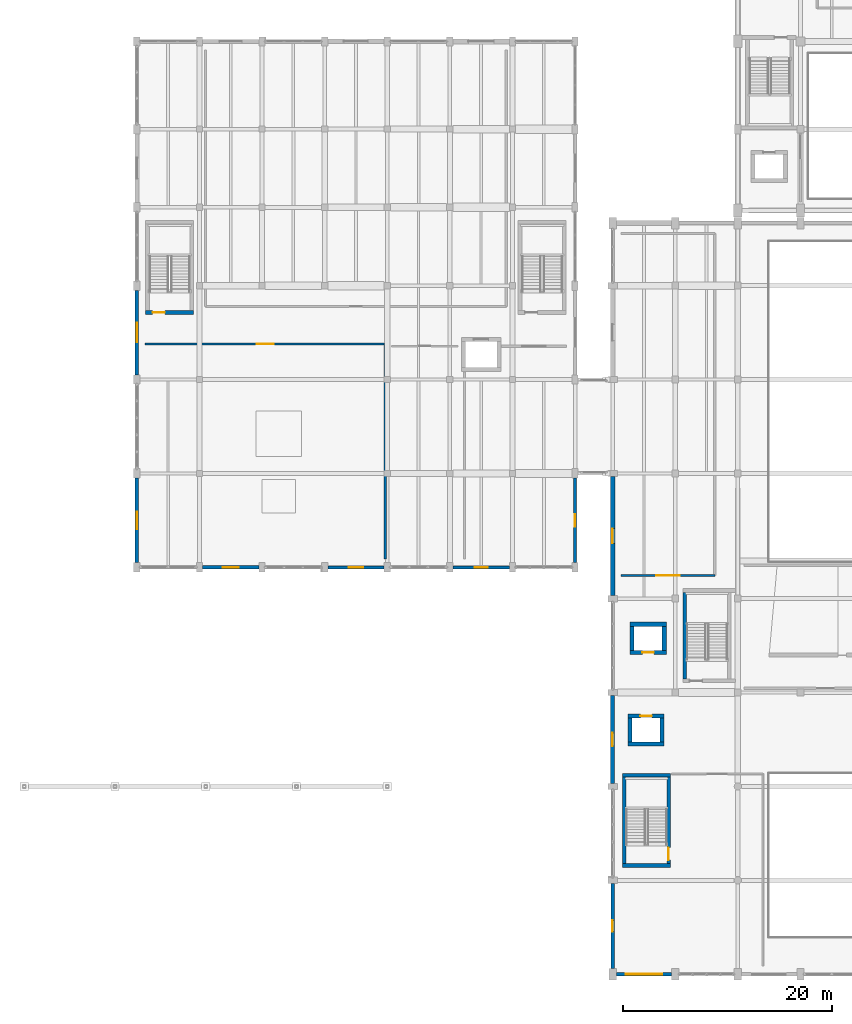
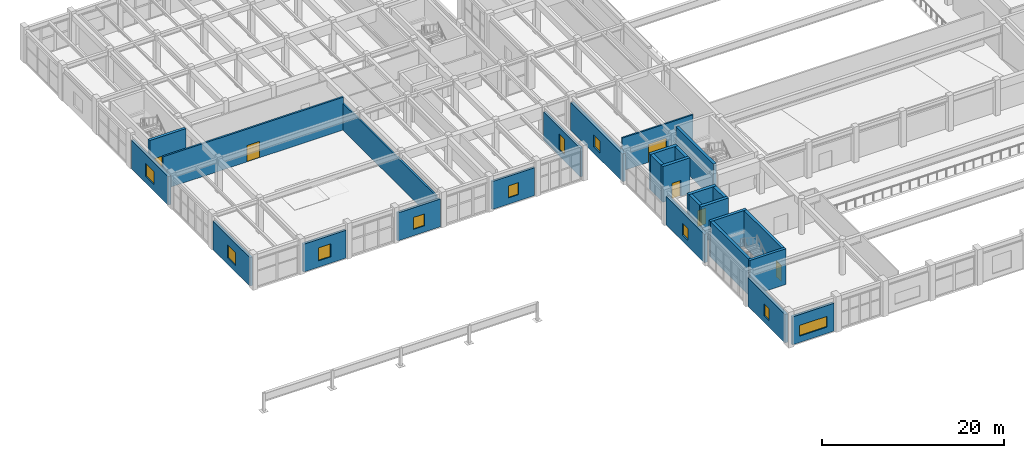
# One storey, part 60 of 85: 27 walls, 10 windows, 6 doors, 16 openings.
"""IFC4 building model written with IfcOpenShell, lengths in metres."""

from ifc_helpers import new_model, si_unit, direction, frame, frame_2d, origin, place, context, subcontext, project, spatial, rectangle, extrude, material, layer, layer_set, type_object, element, fill, save


model = new_model("IFC4")

# Units and contexts
model_context = context("Model", 3, precision=1e-05, world=origin(), true_north=direction((0.0, 1.0)))
body_context = subcontext(model_context, "Body", "Model", "MODEL_VIEW")
ifc_project = project(units=[si_unit("LENGTHUNIT", "METRE"), si_unit("AREAUNIT", "SQUARE_METRE"), si_unit("VOLUMEUNIT", "CUBIC_METRE"), si_unit("PLANEANGLEUNIT", "RADIAN"), si_unit("MASSUNIT", "GRAM", prefix="KILO")], contexts=[model_context])

# Site, building, storey
site_placement = place(None, origin())
site = spatial("IfcSite", under=ifc_project, at=site_placement, CompositionType="ELEMENT")
building_placement = place(site_placement, origin())
building = spatial("IfcBuilding", under=site, at=building_placement, Name="Vaelkrest Opera House", CompositionType="ELEMENT")
storey_placement = place(building_placement, frame((0.0, 0.0, 10.199951171875)))
storey = spatial("IfcBuildingStorey", under=building, at=storey_placement, Name="L02", CompositionType="ELEMENT", Elevation=10.199951171875)

# Wall, opening, window
ifc_material_1 = material(Name="Douglas fir glulam GL28h", Category="wood")
ifc_layer_1 = layer(ifc_material_1, 0.27490234375)
ifc_layer_set_1 = layer_set([ifc_layer_1], Name="Douglas fir glulam GL28h")
wall_type_1 = type_object("IfcWallType", Name="EW02", PredefinedType="STANDARD", material=ifc_layer_set_1)
wall_1_placement = place(storey_placement, frame((-39.89794921875, -16.800048828125, 0.0), z_axis=(0.0, 0.0, 1.0), x_axis=(-1.0, 0.0, 0.0)))
wall_1 = element("IfcWall", 1, at=wall_1_placement, inside=storey, type_object=wall_type_1, Name="Exterior facade wall EW-V3-L02-0172", PredefinedType="STANDARD", context=body_context, shape_type="SweptSolid", body=[
    extrude(rectangle(XDim=5.404052734375, YDim=0.27490234375, at=frame_2d((2.7021484375, 0.0))), origin(), (0.0, 0.0, 1.0), 3.7451171875),
])
opening_1_placement = place(wall_1_placement, frame((2.076904296875, 0.0, 0.85009765625)))
opening_1 = element("IfcOpeningElement", 2, at=opening_1_placement, cuts=wall_1, Name="Opening WN080", PredefinedType="OPENING", context=body_context, shape_type="SweptSolid", body=[
    extrude(rectangle(XDim=1.25, YDim=1.60009765625, at=frame_2d((0.625, 0.800048828125))), frame((0.0, 0.1474609375, 0.0), z_axis=(0.0, -1.0, 0.0), x_axis=(1.0, 0.0, 0.0)), (0.0, 0.0, 1.0), 0.294921875),
])
ifc_material_2 = material(Name="Double low-E insulated glazing", Category="glass")
window_type_1 = type_object("IfcWindowType", Name="WT02", PartitioningType="SINGLE_PANEL", PredefinedType="WINDOW", material=ifc_material_2)
window_1_placement = place(opening_1_placement, origin())
window_1 = element("IfcWindow", 3, at=window_1_placement, inside=storey, type_object=window_type_1, Name="Facade window WN080", OverallHeight=1.60009765625, OverallWidth=1.25, PartitioningType="SINGLE_PANEL", PredefinedType="WINDOW", context=body_context, shape_type="SweptSolid", body=[
    extrude(rectangle(XDim=1.25, YDim=1.60009765625, at=frame_2d((0.625, 0.800048828125))), frame((0.0, 0.030029296875, 0.0), z_axis=(0.0, -1.0, 0.0), x_axis=(1.0, 0.0, 0.0)), (0.0, 0.0, 1.0), 0.06005859375),
])
fill(opening_1, window_1)

ifc_layer_2 = layer(ifc_material_1, 0.294921875)
ifc_layer_set_2 = layer_set([ifc_layer_2], Name="Douglas fir glulam GL28h")
wall_type_2 = type_object("IfcWallType", Name="EW03", PredefinedType="STANDARD", material=ifc_layer_set_2)
wall_2_placement = place(storey_placement, frame((-51.89794921875, -16.800048828125, 0.0), z_axis=(0.0, 0.0, 1.0), x_axis=(-1.0, 0.0, 0.0)))
wall_2 = element("IfcWall", 4, at=wall_2_placement, inside=storey, type_object=wall_type_2, Name="Exterior facade wall EW-V3-L02-0173", PredefinedType="STANDARD", context=body_context, shape_type="SweptSolid", body=[
    extrude(rectangle(XDim=5.404052734375, YDim=0.294921875, at=frame_2d((2.7021484375, 0.0))), origin(), (0.0, 0.0, 1.0), 3.7451171875),
])
opening_2_placement = place(wall_2_placement, frame((2.001953125, 0.0, 0.85009765625)))
opening_2 = element("IfcOpeningElement", 5, at=opening_2_placement, cuts=wall_2, Name="Opening WN081", PredefinedType="OPENING", context=body_context, shape_type="SweptSolid", body=[
    extrude(rectangle(XDim=1.39990234375, YDim=1.60009765625, at=frame_2d((0.699951171875, 0.800048828125))), frame((0.0, 0.157470703125, 0.0), z_axis=(0.0, -1.0, 0.0), x_axis=(1.0, 0.0, 0.0)), (0.0, 0.0, 1.0), 0.31494140625),
])
window_type_2 = type_object("IfcWindowType", Name="WT03", PartitioningType="SINGLE_PANEL", PredefinedType="WINDOW", material=ifc_material_2)
window_2_placement = place(opening_2_placement, origin())
window_2 = element("IfcWindow", 6, at=window_2_placement, inside=storey, type_object=window_type_2, Name="Facade window WN081", OverallHeight=1.60009765625, OverallWidth=1.39990234375, PartitioningType="SINGLE_PANEL", PredefinedType="WINDOW", context=body_context, shape_type="SweptSolid", body=[
    extrude(rectangle(XDim=1.39990234375, YDim=1.60009765625, at=frame_2d((0.699951171875, 0.800048828125))), frame((0.0, 0.030029296875, 0.0), z_axis=(0.0, -1.0, 0.0), x_axis=(1.0, 0.0, 0.0)), (0.0, 0.0, 1.0), 0.06005859375),
])
fill(opening_2, window_2)

wall_3_placement = place(storey_placement, frame((-33.60009765625, -8.248046875, 0.0), z_axis=(0.0, 0.0, 1.0), x_axis=(0.0, -1.0, 0.0)))
wall_3 = element("IfcWall", 7, at=wall_3_placement, inside=storey, type_object=wall_type_2, Name="Exterior facade wall EW-V3-L02-0183", PredefinedType="STANDARD", context=body_context, shape_type="SweptSolid", body=[
    extrude(rectangle(XDim=8.10400390625, YDim=0.294921875, at=frame_2d((4.052001953125, 0.0))), origin(), (0.0, 0.0, 1.0), 3.8291015625),
])
opening_3_placement = place(wall_3_placement, frame((3.451904296875, 0.0, 0.85009765625)))
opening_3 = element("IfcOpeningElement", 8, at=opening_3_placement, cuts=wall_3, Name="Opening WN091", PredefinedType="OPENING", context=body_context, shape_type="SweptSolid", body=[
    extrude(rectangle(XDim=1.199951171875, YDim=2.10009765625, at=frame_2d((0.60009765625, 1.050048828125))), frame((0.0, 0.157470703125, 0.0), z_axis=(0.0, -1.0, 0.0), x_axis=(1.0, 0.0, 0.0)), (0.0, 0.0, 1.0), 0.31494140625),
])
window_type_3 = type_object("IfcWindowType", Name="WT13", PartitioningType="SINGLE_PANEL", PredefinedType="WINDOW", material=ifc_material_2)
window_3_placement = place(opening_3_placement, origin())
window_3 = element("IfcWindow", 9, at=window_3_placement, inside=storey, type_object=window_type_3, Name="Facade window WN091", OverallHeight=2.10009765625, OverallWidth=1.199951171875, PartitioningType="SINGLE_PANEL", PredefinedType="WINDOW", context=body_context, shape_type="SweptSolid", body=[
    extrude(rectangle(XDim=1.199951171875, YDim=2.10009765625, at=frame_2d((0.60009765625, 1.050048828125))), frame((0.0, 0.030029296875, 0.0), z_axis=(0.0, -1.0, 0.0), x_axis=(1.0, 0.0, 0.0)), (0.0, 0.0, 1.0), 0.06005859375),
])
fill(opening_3, window_3)

ifc_material_3 = material(Name="American black walnut acoustic timber", Category="wood")
ifc_layer_3 = layer(ifc_material_3, 0.31494140625)
ifc_layer_set_3 = layer_set([ifc_layer_3], Name="American black walnut acoustic timber")
wall_type_3 = type_object("IfcWallType", Name="EW04", PredefinedType="STANDARD", material=ifc_layer_set_3)
wall_4_placement = place(storey_placement, frame((-63.89794921875, -16.800048828125, 0.0), z_axis=(0.0, 0.0, 1.0), x_axis=(-1.0, 0.0, 0.0)))
wall_4 = element("IfcWall", 10, at=wall_4_placement, inside=storey, type_object=wall_type_3, Name="Exterior facade wall EW-V3-L02-0174", PredefinedType="STANDARD", context=body_context, shape_type="SweptSolid", body=[
    extrude(rectangle(XDim=5.404052734375, YDim=0.31494140625, at=frame_2d((2.7021484375, 0.0))), origin(), (0.0, 0.0, 1.0), 3.7451171875),
])
opening_4_placement = place(wall_4_placement, frame((1.927001953125, 0.0, 0.85009765625)))
opening_4 = element("IfcOpeningElement", 11, at=opening_4_placement, cuts=wall_4, Name="Opening WN082", PredefinedType="OPENING", context=body_context, shape_type="SweptSolid", body=[
    extrude(rectangle(XDim=1.550048828125, YDim=1.75, at=frame_2d((0.77490234375, 0.875))), frame((0.0, 0.16748046875, 0.0), z_axis=(0.0, -1.0, 0.0), x_axis=(1.0, 0.0, 0.0)), (0.0, 0.0, 1.0), 0.3349609375),
])
window_type_4 = type_object("IfcWindowType", Name="WT04", PartitioningType="SINGLE_PANEL", PredefinedType="WINDOW", material=ifc_material_2)
window_4_placement = place(opening_4_placement, origin())
window_4 = element("IfcWindow", 12, at=window_4_placement, inside=storey, type_object=window_type_4, Name="Facade window WN082", OverallHeight=1.75, OverallWidth=1.550048828125, PartitioningType="SINGLE_PANEL", PredefinedType="WINDOW", context=body_context, shape_type="SweptSolid", body=[
    extrude(rectangle(XDim=1.550048828125, YDim=1.75, at=frame_2d((0.77490234375, 0.875))), frame((0.0, 0.030029296875, 0.0), z_axis=(0.0, -1.0, 0.0), x_axis=(1.0, 0.0, 0.0)), (0.0, 0.0, 1.0), 0.06005859375),
])
fill(opening_4, window_4)

ifc_layer_4 = layer(ifc_material_3, 0.3349609375)
ifc_layer_set_4 = layer_set([ifc_layer_4], Name="American black walnut acoustic timber")
wall_type_4 = type_object("IfcWallType", Name="EW05", PredefinedType="STANDARD", material=ifc_layer_set_4)
wall_5_placement = place(storey_placement, frame((-24.347900390625, -55.800048828125, 0.0), z_axis=(0.0, 0.0, 1.0), x_axis=(-1.0, 0.0, 0.0)))
wall_5 = element("IfcWall", 13, at=wall_5_placement, inside=storey, type_object=wall_type_4, Name="Exterior facade wall EW-V1-L02-0055", PredefinedType="STANDARD", context=body_context, shape_type="SweptSolid", body=[
    extrude(rectangle(XDim=5.30419921875, YDim=0.3349609375, at=frame_2d((2.652099609375, 0.0))), origin(), (0.0, 0.0, 1.0), 3.7451171875),
])
opening_5_placement = place(wall_5_placement, frame((0.902099609375, 0.0, 0.85009765625)))
opening_5 = element("IfcOpeningElement", 14, at=opening_5_placement, cuts=wall_5, Name="Opening WN026", PredefinedType="OPENING", context=body_context, shape_type="SweptSolid", body=[
    extrude(rectangle(XDim=3.5, YDim=1.449951171875, at=frame_2d((1.75, 0.72509765625))), frame((0.0, 0.177490234375, 0.0), z_axis=(0.0, -1.0, 0.0), x_axis=(1.0, 0.0, 0.0)), (0.0, 0.0, 1.0), 0.35498046875),
])
window_type_5 = type_object("IfcWindowType", Name="WT26", PartitioningType="SINGLE_PANEL", PredefinedType="WINDOW", material=ifc_material_2)
window_5_placement = place(opening_5_placement, origin())
window_5 = element("IfcWindow", 15, at=window_5_placement, inside=storey, type_object=window_type_5, Name="Facade window WN026", OverallHeight=1.449951171875, OverallWidth=3.5, PartitioningType="SINGLE_PANEL", PredefinedType="WINDOW", context=body_context, shape_type="SweptSolid", body=[
    extrude(rectangle(XDim=3.5, YDim=1.449951171875, at=frame_2d((1.75, 0.72509765625))), frame((0.0, 0.030029296875, 0.0), z_axis=(0.0, -1.0, 0.0), x_axis=(1.0, 0.0, 0.0)), (0.0, 0.0, 1.0), 0.06005859375),
])
fill(opening_5, window_5)

wall_6_placement = place(storey_placement, frame((-75.60009765625, -16.35205078125, 0.0), z_axis=(0.0, 0.0, 1.0), x_axis=(0.0, 1.0, 0.0)))
wall_6 = element("IfcWall", 16, at=wall_6_placement, inside=storey, type_object=wall_type_4, Name="Exterior facade wall EW-V3-L02-0175", PredefinedType="STANDARD", context=body_context, shape_type="SweptSolid", body=[
    extrude(rectangle(XDim=8.10400390625, YDim=0.3349609375, at=frame_2d((4.052001953125, 0.0))), origin(), (0.0, 0.0, 1.0), 3.8291015625),
])
opening_6_placement = place(wall_6_placement, frame((3.201904296875, 0.0, 0.85009765625)))
opening_6 = element("IfcOpeningElement", 17, at=opening_6_placement, cuts=wall_6, Name="Opening WN083", PredefinedType="OPENING", context=body_context, shape_type="SweptSolid", body=[
    extrude(rectangle(XDim=1.699951171875, YDim=1.75, at=frame_2d((0.85009765625, 0.875))), frame((0.0, 0.177490234375, 0.0), z_axis=(0.0, -1.0, 0.0), x_axis=(1.0, 0.0, 0.0)), (0.0, 0.0, 1.0), 0.35498046875),
])
window_type_6 = type_object("IfcWindowType", Name="WT05", PartitioningType="SINGLE_PANEL", PredefinedType="WINDOW", material=ifc_material_2)
window_6_placement = place(opening_6_placement, origin())
window_6 = element("IfcWindow", 18, at=window_6_placement, inside=storey, type_object=window_type_6, Name="Facade window WN083", OverallHeight=1.75, OverallWidth=1.699951171875, PartitioningType="SINGLE_PANEL", PredefinedType="WINDOW", context=body_context, shape_type="SweptSolid", body=[
    extrude(rectangle(XDim=1.699951171875, YDim=1.75, at=frame_2d((0.85009765625, 0.875))), frame((0.0, 0.030029296875, 0.0), z_axis=(0.0, -1.0, 0.0), x_axis=(1.0, 0.0, 0.0)), (0.0, 0.0, 1.0), 0.06005859375),
])
fill(opening_6, window_6)

ifc_layer_5 = layer(ifc_material_3, 0.360107421875)
ifc_layer_set_5 = layer_set([ifc_layer_5], Name="American black walnut acoustic timber")
wall_type_5 = type_object("IfcWallType", Name="EW06", PredefinedType="STANDARD", material=ifc_layer_set_5)
wall_7_placement = place(storey_placement, frame((-30.0, -55.251953125, 0.0), z_axis=(0.0, 0.0, 1.0), x_axis=(0.0, 1.0, 0.0)))
wall_7 = element("IfcWall", 19, at=wall_7_placement, inside=storey, type_object=wall_type_5, Name="Exterior facade wall EW-V1-L02-0056", PredefinedType="STANDARD", context=body_context, shape_type="SweptSolid", body=[
    extrude(rectangle(XDim=8.154052734375, YDim=0.360107421875, at=frame_2d((4.0771484375, 0.0))), origin(), (0.0, 0.0, 1.0), 3.8291015625),
])
opening_7_placement = place(wall_7_placement, frame((3.527099609375, 0.0, 0.85009765625)))
opening_7 = element("IfcOpeningElement", 20, at=opening_7_placement, cuts=wall_7, Name="Opening WN027", PredefinedType="OPENING", context=body_context, shape_type="SweptSolid", body=[
    extrude(rectangle(XDim=1.10009765625, YDim=1.60009765625, at=frame_2d((0.550048828125, 0.800048828125))), frame((0.0, 0.18994140625, 0.0), z_axis=(0.0, -1.0, 0.0), x_axis=(1.0, 0.0, 0.0)), (0.0, 0.0, 1.0), 0.380126953125),
])
window_type_7 = type_object("IfcWindowType", Name="WT01", PartitioningType="SINGLE_PANEL", PredefinedType="WINDOW", material=ifc_material_2)
window_7_placement = place(opening_7_placement, origin())
window_7 = element("IfcWindow", 21, at=window_7_placement, inside=storey, type_object=window_type_7, Name="Facade window WN027", OverallHeight=1.60009765625, OverallWidth=1.10009765625, PartitioningType="SINGLE_PANEL", PredefinedType="WINDOW", context=body_context, shape_type="SweptSolid", body=[
    extrude(rectangle(XDim=1.10009765625, YDim=1.60009765625, at=frame_2d((0.550048828125, 0.800048828125))), frame((0.0, 0.030029296875, 0.0), z_axis=(0.0, -1.0, 0.0), x_axis=(1.0, 0.0, 0.0)), (0.0, 0.0, 1.0), 0.06005859375),
])
fill(opening_7, window_7)

wall_8_placement = place(storey_placement, frame((-75.60009765625, 1.64794921875, 0.0), z_axis=(0.0, 0.0, 1.0), x_axis=(0.0, 1.0, 0.0)))
wall_8 = element("IfcWall", 22, at=wall_8_placement, inside=storey, type_object=wall_type_5, Name="Exterior facade wall EW-V3-L02-0176", PredefinedType="STANDARD", context=body_context, shape_type="SweptSolid", body=[
    extrude(rectangle(XDim=8.10400390625, YDim=0.360107421875, at=frame_2d((4.052001953125, 0.0))), origin(), (0.0, 0.0, 1.0), 3.8291015625),
])
opening_8_placement = place(wall_8_placement, frame((3.126953125, 0.0, 0.85009765625)))
opening_8 = element("IfcOpeningElement", 23, at=opening_8_placement, cuts=wall_8, Name="Opening WN084", PredefinedType="OPENING", context=body_context, shape_type="SweptSolid", body=[
    extrude(rectangle(XDim=1.85009765625, YDim=1.75, at=frame_2d((0.925048828125, 0.875))), frame((0.0, 0.18994140625, 0.0), z_axis=(0.0, -1.0, 0.0), x_axis=(1.0, 0.0, 0.0)), (0.0, 0.0, 1.0), 0.380126953125),
])
window_type_8 = type_object("IfcWindowType", Name="WT06", PartitioningType="SINGLE_PANEL", PredefinedType="WINDOW", material=ifc_material_2)
window_8_placement = place(opening_8_placement, origin())
window_8 = element("IfcWindow", 24, at=window_8_placement, inside=storey, type_object=window_type_8, Name="Facade window WN084", OverallHeight=1.75, OverallWidth=1.85009765625, PartitioningType="SINGLE_PANEL", PredefinedType="WINDOW", context=body_context, shape_type="SweptSolid", body=[
    extrude(rectangle(XDim=1.85009765625, YDim=1.75, at=frame_2d((0.925048828125, 0.875))), frame((0.0, 0.030029296875, 0.0), z_axis=(0.0, -1.0, 0.0), x_axis=(1.0, 0.0, 0.0)), (0.0, 0.0, 1.0), 0.06005859375),
])
fill(opening_8, window_8)

ifc_material_4 = material(Name="Concrete C40/50", Category="concrete")
ifc_layer_6 = layer(ifc_material_4, 0.385009765625)
ifc_layer_set_6 = layer_set([ifc_layer_6], Name="Concrete C40/50")
wall_type_6 = type_object("IfcWallType", Name="EW07", PredefinedType="STANDARD", material=ifc_layer_set_6)
wall_9_placement = place(storey_placement, frame((-30.0, -37.501953125, 0.0), z_axis=(0.0, 0.0, 1.0), x_axis=(0.0, 1.0, 0.0)))
wall_9 = element("IfcWall", 25, at=wall_9_placement, inside=storey, type_object=wall_type_6, Name="Exterior facade wall EW-V1-L02-0057", PredefinedType="STANDARD", context=body_context, shape_type="SweptSolid", body=[
    extrude(rectangle(XDim=8.404052734375, YDim=0.385009765625, at=frame_2d((4.2021484375, 0.0))), origin(), (0.0, 0.0, 1.0), 3.8291015625),
])
opening_9_placement = place(wall_9_placement, frame((3.576904296875, 0.0, 0.85009765625)))
opening_9 = element("IfcOpeningElement", 26, at=opening_9_placement, cuts=wall_9, Name="Opening WN028", PredefinedType="OPENING", context=body_context, shape_type="SweptSolid", body=[
    extrude(rectangle(XDim=1.25, YDim=1.60009765625, at=frame_2d((0.625, 0.800048828125))), frame((0.0, 0.202392578125, 0.0), z_axis=(0.0, -1.0, 0.0), x_axis=(1.0, 0.0, 0.0)), (0.0, 0.0, 1.0), 0.405029296875),
])
window_9_placement = place(opening_9_placement, origin())
window_9 = element("IfcWindow", 27, at=window_9_placement, inside=storey, type_object=window_type_1, Name="Facade window WN028", OverallHeight=1.60009765625, OverallWidth=1.25, PartitioningType="SINGLE_PANEL", PredefinedType="WINDOW", context=body_context, shape_type="SweptSolid", body=[
    extrude(rectangle(XDim=1.25, YDim=1.60009765625, at=frame_2d((0.625, 0.800048828125))), frame((0.0, 0.030029296875, 0.0), z_axis=(0.0, -1.0, 0.0), x_axis=(1.0, 0.0, 0.0)), (0.0, 0.0, 1.0), 0.06005859375),
])
fill(opening_9, window_9)

ifc_layer_7 = layer(ifc_material_4, 0.409912109375)
ifc_layer_set_7 = layer_set([ifc_layer_7], Name="Concrete C40/50")
wall_type_7 = type_object("IfcWallType", Name="EW08", PredefinedType="STANDARD", material=ifc_layer_set_7)
wall_10_placement = place(storey_placement, frame((-30.0, -19.501953125, 0.0), z_axis=(0.0, 0.0, 1.0), x_axis=(0.0, 1.0, 0.0)))
wall_10 = element("IfcWall", 28, at=wall_10_placement, inside=storey, type_object=wall_type_7, Name="Exterior facade wall EW-V1-L02-0058", PredefinedType="STANDARD", context=body_context, shape_type="SweptSolid", body=[
    extrude(rectangle(XDim=11.404052734375, YDim=0.409912109375, at=frame_2d((5.7021484375, 0.0))), origin(), (0.0, 0.0, 1.0), 3.7451171875),
])
opening_10_placement = place(wall_10_placement, frame((5.001953125, 0.0, 0.85009765625)))
opening_10 = element("IfcOpeningElement", 29, at=opening_10_placement, cuts=wall_10, Name="Opening WN029", PredefinedType="OPENING", context=body_context, shape_type="SweptSolid", body=[
    extrude(rectangle(XDim=1.39990234375, YDim=1.60009765625, at=frame_2d((0.699951171875, 0.800048828125))), frame((0.0, 0.21484375, 0.0), z_axis=(0.0, -1.0, 0.0), x_axis=(1.0, 0.0, 0.0)), (0.0, 0.0, 1.0), 0.429931640625),
])
window_10_placement = place(opening_10_placement, origin())
window_10 = element("IfcWindow", 30, at=window_10_placement, inside=storey, type_object=window_type_2, Name="Facade window WN029", OverallHeight=1.60009765625, OverallWidth=1.39990234375, PartitioningType="SINGLE_PANEL", PredefinedType="WINDOW", context=body_context, shape_type="SweptSolid", body=[
    extrude(rectangle(XDim=1.39990234375, YDim=1.60009765625, at=frame_2d((0.699951171875, 0.800048828125))), frame((0.0, 0.030029296875, 0.0), z_axis=(0.0, -1.0, 0.0), x_axis=(1.0, 0.0, 0.0)), (0.0, 0.0, 1.0), 0.06005859375),
])
fill(opening_10, window_10)

# Wall, opening, door
ifc_material_5 = material(Name="Gypsum acoustic board", Category="gypsum")
ifc_layer_8 = layer(ifc_material_5, 0.195068359375)
ifc_layer_set_8 = layer_set([ifc_layer_8], Name="Gypsum acoustic board")
wall_type_8 = type_object("IfcWallType", Name="PT06", PredefinedType="PARTITIONING", material=ifc_layer_set_8)
wall_11_placement = place(storey_placement, frame((-29.199951171875, -17.60009765625, 0.0), z_axis=(0.0, 0.0, 1.0), x_axis=(1.0, 0.0, 0.0)))
wall_11 = element("IfcWall", 31, at=wall_11_placement, inside=storey, type_object=wall_type_8, Name="Interior partition PT-V1-L02-0076", PredefinedType="PARTITIONING", context=body_context, shape_type="SweptSolid", body=[
    extrude(rectangle(XDim=9.0, YDim=0.195068359375, at=frame_2d((4.5, 0.0))), origin(), (0.0, 0.0, 1.0), 4.420166015625),
])
opening_11_placement = place(wall_11_placement, frame((3.375, 0.0, 0.0)))
opening_11 = element("IfcOpeningElement", 32, at=opening_11_placement, cuts=wall_11, Name="Opening D030", PredefinedType="OPENING", context=body_context, shape_type="SweptSolid", body=[
    extrude(rectangle(XDim=2.25, YDim=2.449951171875, at=frame_2d((1.125, 1.22509765625))), frame((0.0, 0.107421875, 0.0), z_axis=(0.0, -1.0, 0.0), x_axis=(1.0, 0.0, 0.0)), (0.0, 0.0, 1.0), 0.215087890625),
])
door_type_1 = type_object("IfcDoorType", Name="DT26", OperationType="DOUBLE_DOOR_SINGLE_SWING", PredefinedType="DOOR", material=ifc_material_3)
door_1_placement = place(opening_11_placement, origin())
door_1 = element("IfcDoor", 33, at=door_1_placement, inside=storey, type_object=door_type_1, Name="Interior door D030 (West Acoustic Gallery)", OperationType="DOUBLE_DOOR_SINGLE_SWING", OverallHeight=2.449951171875, OverallWidth=2.25, PredefinedType="DOOR", context=body_context, shape_type="SweptSolid", body=[
    extrude(rectangle(XDim=2.25, YDim=2.449951171875, at=frame_2d((1.125, 1.22509765625))), frame((0.0, 0.02490234375, 0.0), z_axis=(0.0, -1.0, 0.0), x_axis=(1.0, 0.0, 0.0)), (0.0, 0.0, 1.0), 0.050048828125),
])
fill(opening_11, door_1)

# Wall
ifc_layer_9 = layer(ifc_material_3, 0.2099609375)
ifc_layer_set_9 = layer_set([ifc_layer_9], Name="American black walnut acoustic timber")
wall_type_9 = type_object("IfcWallType", Name="PT07", PredefinedType="PARTITIONING", material=ifc_layer_set_9)
wall_12_placement = place(storey_placement, frame((-51.800048828125, -16.0, 0.0), z_axis=(0.0, 0.0, 1.0), x_axis=(0.0, 1.0, 0.0)))
element("IfcWall", 34, at=wall_12_placement, inside=storey, type_object=wall_type_9, Name="Interior partition PT-V3-L02-0297", PredefinedType="PARTITIONING", context=body_context, shape_type="SweptSolid", body=[
    extrude(rectangle(XDim=20.60009765625, YDim=0.2099609375, at=frame_2d((10.300048828125, 0.0))), origin(), (0.0, 0.0, 1.0), 3.590087890625),
])

# Wall, opening, door
ifc_layer_10 = layer(ifc_material_3, 0.22509765625)
ifc_layer_set_10 = layer_set([ifc_layer_10], Name="American black walnut acoustic timber")
wall_type_10 = type_object("IfcWallType", Name="PT08", PredefinedType="PARTITIONING", material=ifc_layer_set_10)
wall_13_placement = place(storey_placement, frame((-74.800048828125, 4.60009765625, 0.0), z_axis=(0.0, 0.0, 1.0), x_axis=(1.0, 0.0, 0.0)))
wall_13 = element("IfcWall", 35, at=wall_13_placement, inside=storey, type_object=wall_type_10, Name="Interior partition PT-V3-L02-0296", PredefinedType="PARTITIONING", context=body_context, shape_type="SweptSolid", body=[
    extrude(rectangle(XDim=23.0, YDim=0.22509765625, at=frame_2d((11.5, 0.0))), origin(), (0.0, 0.0, 1.0), 4.420166015625),
])
opening_12_placement = place(wall_13_placement, frame((10.68994140625, 0.0, 0.0)))
opening_12 = element("IfcOpeningElement", 36, at=opening_12_placement, cuts=wall_13, Name="Opening D117", PredefinedType="OPENING", context=body_context, shape_type="SweptSolid", body=[
    extrude(rectangle(XDim=1.6201171875, YDim=2.199951171875, at=frame_2d((0.81005859375, 1.10009765625))), frame((0.0, 0.12255859375, 0.0), z_axis=(0.0, -1.0, 0.0), x_axis=(1.0, 0.0, 0.0)), (0.0, 0.0, 1.0), 0.2451171875),
])
door_type_2 = type_object("IfcDoorType", Name="DT19", OperationType="DOUBLE_DOOR_SINGLE_SWING", PredefinedType="DOOR", material=ifc_material_3)
door_2_placement = place(opening_12_placement, origin())
door_2 = element("IfcDoor", 37, at=door_2_placement, inside=storey, type_object=door_type_2, Name="Interior door D117 (Chorus Rehearsal Stage)", OperationType="DOUBLE_DOOR_SINGLE_SWING", OverallHeight=2.199951171875, OverallWidth=1.6201171875, PredefinedType="DOOR", context=body_context, shape_type="SweptSolid", body=[
    extrude(rectangle(XDim=1.6201171875, YDim=2.199951171875, at=frame_2d((0.81005859375, 1.10009765625))), frame((0.0, 0.02490234375, 0.0), z_axis=(0.0, -1.0, 0.0), x_axis=(1.0, 0.0, 0.0)), (0.0, 0.0, 1.0), 0.050048828125),
])
fill(opening_12, door_2)

# Walls
ifc_material_6 = material(Name="Concrete C50/60", Category="concrete")
ifc_layer_11 = layer(ifc_material_6, 0.35009765625)
ifc_layer_set_11 = layer_set([ifc_layer_11], Name="Concrete C50/60")
wall_type_11 = type_object("IfcWallType", Name="SW01", PredefinedType="SHEAR", material=ifc_layer_set_11)
wall_14_placement = place(storey_placement, frame((-23.074951171875, -27.5, 0.0), z_axis=(0.0, 0.0, 1.0), x_axis=(0.0, 1.0, 0.0)))
element("IfcWall", 38, at=wall_14_placement, inside=storey, type_object=wall_type_11, Name="Stair core ST01 wall L02 W", PredefinedType="SHEAR", context=body_context, shape_type="SweptSolid", body=[
    extrude(rectangle(XDim=8.300048828125, YDim=0.35009765625, at=frame_2d((4.14990234375, 0.0))), origin(), (0.0, 0.0, 1.0), 4.800048828125),
])
wall_15_placement = place(storey_placement, frame((-24.449951171875, -45.375, 0.0), z_axis=(0.0, 0.0, 1.0), x_axis=(-1.0, 0.0, 0.0)))
element("IfcWall", 39, at=wall_15_placement, inside=storey, type_object=wall_type_11, Name="Stair core ST03 wall L02 S", PredefinedType="SHEAR", context=body_context, shape_type="SweptSolid", body=[
    extrude(rectangle(XDim=4.60009765625, YDim=0.35009765625, at=frame_2d((2.300048828125, 0.0))), origin(), (0.0, 0.0, 1.0), 4.800048828125),
])
wall_16_placement = place(storey_placement, frame((-28.875, -45.199951171875, 0.0), z_axis=(0.0, 0.0, 1.0), x_axis=(0.0, 1.0, 0.0)))
element("IfcWall", 40, at=wall_16_placement, inside=storey, type_object=wall_type_11, Name="Stair core ST03 wall L02 W", PredefinedType="SHEAR", context=body_context, shape_type="SweptSolid", body=[
    extrude(rectangle(XDim=8.300048828125, YDim=0.35009765625, at=frame_2d((4.14990234375, 0.0))), origin(), (0.0, 0.0, 1.0), 4.800048828125),
])
wall_17_placement = place(storey_placement, frame((-29.050048828125, -36.72509765625, 0.0), z_axis=(0.0, 0.0, 1.0), x_axis=(1.0, 0.0, 0.0)))
element("IfcWall", 41, at=wall_17_placement, inside=storey, type_object=wall_type_11, Name="Stair core ST03 wall L02 N", PredefinedType="SHEAR", context=body_context, shape_type="SweptSolid", body=[
    extrude(rectangle(XDim=4.60009765625, YDim=0.35009765625, at=frame_2d((2.300048828125, 0.0))), origin(), (0.0, 0.0, 1.0), 4.800048828125),
])

# Wall, opening, door
wall_18_placement = place(storey_placement, frame((-24.625, -36.89990234375, 0.0), z_axis=(0.0, 0.0, 1.0), x_axis=(0.0, -1.0, 0.0)))
wall_18 = element("IfcWall", 42, at=wall_18_placement, inside=storey, type_object=wall_type_11, Name="Stair core ST03 wall L02 E", PredefinedType="SHEAR", context=body_context, shape_type="SweptSolid", body=[
    extrude(rectangle(XDim=8.300048828125, YDim=0.35009765625, at=frame_2d((4.14990234375, 0.0))), origin(), (0.0, 0.0, 1.0), 4.800048828125),
])
opening_13_placement = place(wall_18_placement, frame((6.77001953125, 0.0, 0.0)))
opening_13 = element("IfcOpeningElement", 43, at=opening_13_placement, cuts=wall_18, Name="Opening SD-ST03-L02", PredefinedType="OPENING", context=body_context, shape_type="SweptSolid", body=[
    extrude(rectangle(XDim=1.179931640625, YDim=2.14990234375, at=frame_2d((0.58984375, 1.074951171875))), frame((0.0, 0.18505859375, 0.0), z_axis=(0.0, -1.0, 0.0), x_axis=(1.0, 0.0, 0.0)), (0.0, 0.0, 1.0), 0.3701171875),
])
door_type_3 = type_object("IfcDoorType", Name="DT07", OperationType="NOTDEFINED", PredefinedType="DOOR", material=ifc_material_3)
door_3_placement = place(opening_13_placement, origin())
door_3 = element("IfcDoor", 44, at=door_3_placement, inside=storey, type_object=door_type_3, Name="Protected stair door SD-ST03-L02", OperationType="SINGLE_SWING_LEFT", OverallHeight=2.14990234375, OverallWidth=1.179931640625, PredefinedType="DOOR", context=body_context, shape_type="SweptSolid", body=[
    extrude(rectangle(XDim=1.179931640625, YDim=2.14990234375, at=frame_2d((0.58984375, 1.074951171875))), frame((0.0, 0.02490234375, 0.0), z_axis=(0.0, -1.0, 0.0), x_axis=(1.0, 0.0, 0.0)), (0.0, 0.0, 1.0), 0.050048828125),
])
fill(opening_13, door_3)

wall_19_placement = place(storey_placement, frame((-70.14990234375, 7.625, 0.0), z_axis=(0.0, 0.0, 1.0), x_axis=(-1.0, 0.0, 0.0)))
wall_19 = element("IfcWall", 45, at=wall_19_placement, inside=storey, type_object=wall_type_11, Name="Stair core ST07 wall L02 S", PredefinedType="SHEAR", context=body_context, shape_type="SweptSolid", body=[
    extrude(rectangle(XDim=4.60009765625, YDim=0.35009765625, at=frame_2d((2.300048828125, 0.0))), origin(), (0.0, 0.0, 1.0), 4.800048828125),
])
opening_14_placement = place(wall_19_placement, frame((2.77001953125, 0.0, 0.0)))
opening_14 = element("IfcOpeningElement", 46, at=opening_14_placement, cuts=wall_19, Name="Opening SD-ST07-L02", PredefinedType="OPENING", context=body_context, shape_type="SweptSolid", body=[
    extrude(rectangle(XDim=1.179931640625, YDim=2.14990234375, at=frame_2d((0.58984375, 1.074951171875))), frame((0.0, 0.18505859375, 0.0), z_axis=(0.0, -1.0, 0.0), x_axis=(1.0, 0.0, 0.0)), (0.0, 0.0, 1.0), 0.3701171875),
])
door_4_placement = place(opening_14_placement, origin())
door_4 = element("IfcDoor", 47, at=door_4_placement, inside=storey, type_object=door_type_3, Name="Protected stair door SD-ST07-L02", OperationType="SINGLE_SWING_LEFT", OverallHeight=2.14990234375, OverallWidth=1.179931640625, PredefinedType="DOOR", context=body_context, shape_type="SweptSolid", body=[
    extrude(rectangle(XDim=1.179931640625, YDim=2.14990234375, at=frame_2d((0.58984375, 1.074951171875))), frame((0.0, 0.02490234375, 0.0), z_axis=(0.0, -1.0, 0.0), x_axis=(1.0, 0.0, 0.0)), (0.0, 0.0, 1.0), 0.050048828125),
])
fill(opening_14, door_4)

ifc_layer_12 = layer(ifc_material_6, 0.389892578125)
ifc_layer_set_12 = layer_set([ifc_layer_12], Name="Concrete C50/60")
wall_type_12 = type_object("IfcWallType", Name="SW02", PredefinedType="SHEAR", material=ifc_layer_set_12)
wall_20_placement = place(storey_placement, frame((-24.860107421875, -24.945068359375, 0.0), z_axis=(0.0, 0.0, 1.0), x_axis=(-1.0, 0.0, 0.0)))
wall_20 = element("IfcWall", 48, at=wall_20_placement, inside=storey, type_object=wall_type_12, Name="Lift shaft LP01 wall L02 S", PredefinedType="SHEAR", context=body_context, shape_type="SweptSolid", body=[
    extrude(rectangle(XDim=3.47998046875, YDim=0.389892578125, at=frame_2d((1.739990234375, 0.0))), origin(), (0.0, 0.0, 1.0), 4.800048828125),
])
opening_15_placement = place(wall_20_placement, frame((1.18994140625, 0.0, 0.0)))
opening_15 = element("IfcOpeningElement", 49, at=opening_15_placement, cuts=wall_20, Name="Opening LD-LP01-L02", PredefinedType="OPENING", context=body_context, shape_type="SweptSolid", body=[
    extrude(rectangle(XDim=1.10009765625, YDim=2.14990234375, at=frame_2d((0.550048828125, 1.074951171875))), frame((0.0, 0.204833984375, 0.0), z_axis=(0.0, -1.0, 0.0), x_axis=(1.0, 0.0, 0.0)), (0.0, 0.0, 1.0), 0.409912109375),
])
ifc_material_7 = material(Name="Dark bronze anodized aluminium", Category="aluminium")
door_type_4 = type_object("IfcDoorType", Name="LDT01", OperationType="SLIDING_TO_LEFT", PredefinedType="DOOR", material=ifc_material_7)
door_5_placement = place(opening_15_placement, origin())
door_5 = element("IfcDoor", 50, at=door_5_placement, inside=storey, type_object=door_type_4, Name="Lift landing sliding door LD-LP01-L02", OperationType="SLIDING_TO_LEFT", OverallHeight=2.14990234375, OverallWidth=1.10009765625, PredefinedType="DOOR", context=body_context, shape_type="SweptSolid", body=[
    extrude(rectangle(XDim=1.10009765625, YDim=2.14990234375, at=frame_2d((0.550048828125, 1.074951171875))), frame((0.0, 0.02490234375, 0.0), z_axis=(0.0, -1.0, 0.0), x_axis=(1.0, 0.0, 0.0)), (0.0, 0.0, 1.0), 0.050048828125),
])
fill(opening_15, door_5)

# Walls
wall_21_placement = place(storey_placement, frame((-28.340087890625, -22.2548828125, 0.0), z_axis=(0.0, 0.0, 1.0), x_axis=(1.0, 0.0, 0.0)))
element("IfcWall", 51, at=wall_21_placement, inside=storey, type_object=wall_type_12, Name="Lift shaft LP01 wall L02 N", PredefinedType="SHEAR", context=body_context, shape_type="SweptSolid", body=[
    extrude(rectangle(XDim=3.47998046875, YDim=0.389892578125, at=frame_2d((1.739990234375, 0.0))), origin(), (0.0, 0.0, 1.0), 4.800048828125),
])
for number, where, z_axis, x_axis, name in (
    (52, (-28.14501953125, -24.75, 0.0), (0.0, 0.0, 1.0), (0.0, 1.0, 0.0), "Lift shaft LP01 wall L02 W"),
    (53, (-25.054931640625, -22.449951171875, 0.0), (0.0, 0.0, 1.0), (0.0, -1.0, 0.0), "Lift shaft LP01 wall L02 E"),
):
    element("IfcWall", number, at=place(storey_placement, frame(where, z_axis=z_axis, x_axis=x_axis)), inside=storey, type_object=wall_type_12, Name=name, PredefinedType="SHEAR", context=body_context, shape_type="SweptSolid", body=[
        extrude(rectangle(XDim=2.300048828125, YDim=0.389892578125, at=frame_2d((1.14990234375, 0.0))), origin(), (0.0, 0.0, 1.0), 4.800048828125),
    ])
wall_22_placement = place(storey_placement, frame((-25.06005859375, -33.7451171875, 0.0), z_axis=(0.0, 0.0, 1.0), x_axis=(-1.0, 0.0, 0.0)))
element("IfcWall", 54, at=wall_22_placement, inside=storey, type_object=wall_type_12, Name="Lift shaft LP03 wall L02 S", PredefinedType="SHEAR", context=body_context, shape_type="SweptSolid", body=[
    extrude(rectangle(XDim=3.47998046875, YDim=0.389892578125, at=frame_2d((1.739990234375, 0.0))), origin(), (0.0, 0.0, 1.0), 4.800048828125),
])

# Wall, opening, door
wall_23_placement = place(storey_placement, frame((-28.5400390625, -31.054931640625, 0.0), z_axis=(0.0, 0.0, 1.0), x_axis=(1.0, 0.0, 0.0)))
wall_23 = element("IfcWall", 55, at=wall_23_placement, inside=storey, type_object=wall_type_12, Name="Lift shaft LP03 wall L02 N", PredefinedType="SHEAR", context=body_context, shape_type="SweptSolid", body=[
    extrude(rectangle(XDim=3.47998046875, YDim=0.389892578125, at=frame_2d((1.739990234375, 0.0))), origin(), (0.0, 0.0, 1.0), 4.800048828125),
])
opening_16_placement = place(wall_23_placement, frame((1.18994140625, 0.0, 0.0)))
opening_16 = element("IfcOpeningElement", 56, at=opening_16_placement, cuts=wall_23, Name="Opening LD-LP03-L02", PredefinedType="OPENING", context=body_context, shape_type="SweptSolid", body=[
    extrude(rectangle(XDim=1.10009765625, YDim=2.14990234375, at=frame_2d((0.550048828125, 1.074951171875))), frame((0.0, 0.204833984375, 0.0), z_axis=(0.0, -1.0, 0.0), x_axis=(1.0, 0.0, 0.0)), (0.0, 0.0, 1.0), 0.409912109375),
])
door_6_placement = place(opening_16_placement, origin())
door_6 = element("IfcDoor", 57, at=door_6_placement, inside=storey, type_object=door_type_4, Name="Lift landing sliding door LD-LP03-L02", OperationType="SLIDING_TO_LEFT", OverallHeight=2.14990234375, OverallWidth=1.10009765625, PredefinedType="DOOR", context=body_context, shape_type="SweptSolid", body=[
    extrude(rectangle(XDim=1.10009765625, YDim=2.14990234375, at=frame_2d((0.550048828125, 1.074951171875))), frame((0.0, 0.02490234375, 0.0), z_axis=(0.0, -1.0, 0.0), x_axis=(1.0, 0.0, 0.0)), (0.0, 0.0, 1.0), 0.050048828125),
])
fill(opening_16, door_6)

# Walls
for number, where, z_axis, x_axis, name in (
    (58, (-28.344970703125, -33.550048828125, 0.0), (0.0, 0.0, 1.0), (0.0, 1.0, 0.0), "Lift shaft LP03 wall L02 W"),
    (59, (-25.2548828125, -31.25, 0.0), (0.0, 0.0, 1.0), (0.0, -1.0, 0.0), "Lift shaft LP03 wall L02 E"),
):
    element("IfcWall", number, at=place(storey_placement, frame(where, z_axis=z_axis, x_axis=x_axis)), inside=storey, type_object=wall_type_12, Name=name, PredefinedType="SHEAR", context=body_context, shape_type="SweptSolid", body=[
        extrude(rectangle(XDim=2.300048828125, YDim=0.389892578125, at=frame_2d((1.14990234375, 0.0))), origin(), (0.0, 0.0, 1.0), 4.800048828125),
    ])

save(model, "model.ifc")
